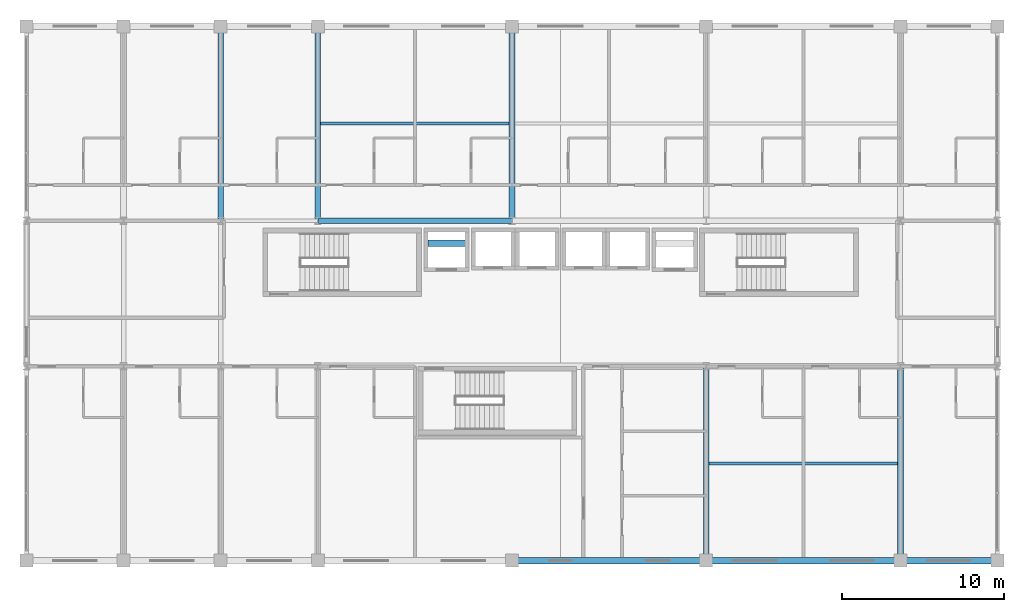
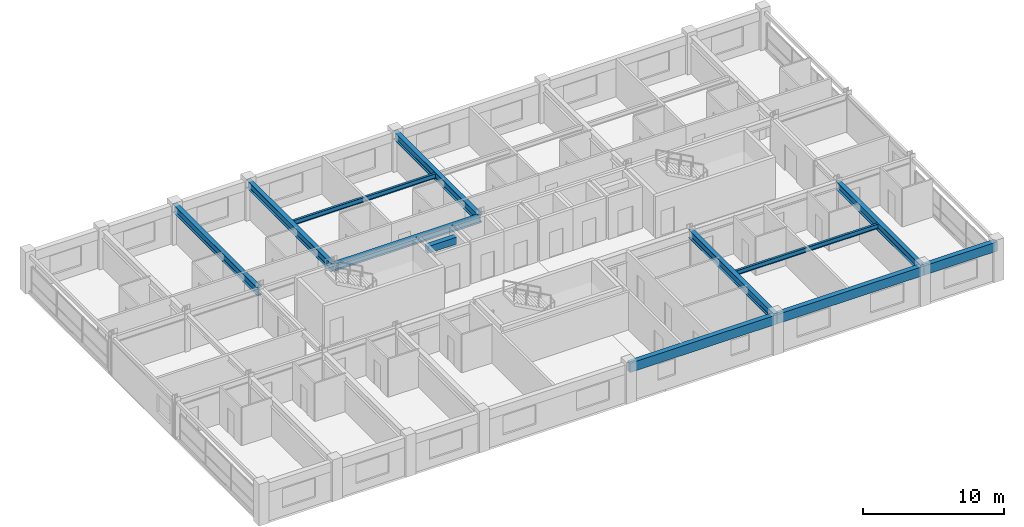
# One storey, part 9 of 26: 12 beams.
"""IFC4 building model written with IfcOpenShell, lengths in metres."""

from ifc_helpers import new_model, si_unit, direction, frame, origin, origin_2d, place, context, subcontext, project, spatial, rectangle, i_section, extrude, material, material_profile, profile_set, type_object, element, save


model = new_model("IFC4")

# Units and contexts
model_context = context("Model", 3, precision=1e-05, world=origin(), true_north=direction((0.0, 1.0)))
body_context = subcontext(model_context, "Body", "Model", "MODEL_VIEW")
ifc_project = project(units=[si_unit("LENGTHUNIT", "METRE"), si_unit("AREAUNIT", "SQUARE_METRE"), si_unit("VOLUMEUNIT", "CUBIC_METRE"), si_unit("PLANEANGLEUNIT", "RADIAN"), si_unit("MASSUNIT", "GRAM", prefix="KILO")], contexts=[model_context])

# Site, building, storey
site_placement = place(None, origin())
site = spatial("IfcSite", under=ifc_project, at=site_placement, CompositionType="ELEMENT")
building_placement = place(site_placement, origin())
building = spatial("IfcBuilding", under=site, at=building_placement, Name="Kaldorvane Square Convention Centre", CompositionType="ELEMENT")
storey_placement = place(building_placement, frame((0.0, 0.0, 45.600006103515625)))
storey = spatial("IfcBuildingStorey", under=building, at=storey_placement, Name="L10", CompositionType="ELEMENT", Elevation=45.600006103515625)

# Beams
ifc_material_1 = material(Name="Steel ASTM A992 Gr. 50", Category="steel")
ifc_material_profile_1 = material_profile(ifc_material_1, i_section(OverallWidth=0.326507568359375, OverallDepth=0.621795654296875, WebThickness=0.0153961181640625, FlangeThickness=0.0243988037109375, FilletRadius=0.0126953125, at=origin_2d()), Name="W24X131")
ifc_profile_set_1 = profile_set([ifc_material_profile_1], Name="Steel ASTM A992 Gr. 50")
beam_type_1 = type_object("IfcBeamType", Name="BM-GR-W24X131", PredefinedType="BEAM", material=ifc_profile_set_1)
beam_1_placement = place(storey_placement, frame((42.0, 105.0, 2.97509765625), z_axis=(1.0, 0.0, 0.0), x_axis=(0.0, 1.0, 0.0)))
element("IfcBeam", 1, at=beam_1_placement, inside=storey, type_object=beam_type_1, Name="Primary Girder (L10)", PredefinedType="BEAM", context=body_context, shape_type="SweptSolid", body=[
    extrude(i_section(OverallWidth=0.326507568359375, OverallDepth=0.621795654296875, WebThickness=0.0153961181640625, FlangeThickness=0.0243988037109375, FilletRadius=0.0126953125, at=origin_2d()), origin(), (0.0, 0.0, 1.0), 12.0),
])
ifc_material_profile_2 = material_profile(ifc_material_1, i_section(OverallWidth=0.354705810546875, OverallDepth=0.69549560546875, WebThickness=0.0153961181640625, FlangeThickness=0.0251007080078125, FilletRadius=0.01519775390625, at=origin_2d()), Name="W27X146")
ifc_profile_set_2 = profile_set([ifc_material_profile_2], Name="Steel ASTM A992 Gr. 50")
beam_type_2 = type_object("IfcBeamType", Name="BM-GR-W27X146", PredefinedType="BEAM", material=ifc_profile_set_2)
for number, where, z_axis, x_axis, name in (
    (2, (36.0, 105.0, 2.93829345703125), (0.0, 1.0, 0.0), (-1.0, 0.0, 0.0), "Transverse Girder (L10)"),
    (3, (42.0, 105.0, 2.93829345703125), (0.0, 1.0, 0.0), (-1.0, 0.0, 0.0), "Transverse Girder (L10)"),
    (4, (54.0, 105.0, 2.93829345703125), (0.0, 1.0, 0.0), (-1.0, 0.0, 0.0), "Transverse Girder (L10)"),
    (5, (66.0, 84.0, 2.93829345703125), (0.0, 1.0, 0.0), (-1.0, 0.0, 0.0), "Transverse Girder (L10)"),
    (6, (78.0, 84.0, 2.93829345703125), (0.0, 1.0, 0.0), (-1.0, 0.0, 0.0), "Transverse Girder (L10)"),
):
    element("IfcBeam", number, at=place(storey_placement, frame(where, z_axis=z_axis, x_axis=x_axis)), inside=storey, type_object=beam_type_2, Name=name, PredefinedType="BEAM", context=body_context, shape_type="SweptSolid", body=[
        extrude(i_section(OverallWidth=0.354705810546875, OverallDepth=0.69549560546875, WebThickness=0.0153961181640625, FlangeThickness=0.0251007080078125, FilletRadius=0.01519775390625, at=origin_2d()), origin(), (0.0, 0.0, 1.0), 12.0),
    ])
ifc_material_profile_3 = material_profile(ifc_material_1, i_section(OverallWidth=0.177398681640625, OverallDepth=0.403106689453125, WebThickness=0.00750732421875, FlangeThickness=0.010894775390625, FilletRadius=0.01019287109375, at=origin_2d()), Name="W16X36")
ifc_profile_set_3 = profile_set([ifc_material_profile_3], Name="Steel ASTM A992 Gr. 50")
beam_type_3 = type_object("IfcBeamType", Name="BM-JS-W16X36", PredefinedType="JOIST", material=ifc_profile_set_3)
beam_2_placement = place(storey_placement, frame((66.17739868164062, 90.0, 3.0844879150390625), z_axis=(1.0, 0.0, 0.0), x_axis=(0.0, 1.0, 0.0)))
element("IfcBeam", 7, at=beam_2_placement, inside=storey, type_object=beam_type_3, Name="Secondary Floor Joist (L10)", PredefinedType="JOIST", context=body_context, shape_type="SweptSolid", body=[
    extrude(i_section(OverallWidth=0.177398681640625, OverallDepth=0.403106689453125, WebThickness=0.00750732421875, FlangeThickness=0.010894775390625, FilletRadius=0.01019287109375, at=origin_2d()), origin(), (0.0, 0.0, 1.0), 11.64520263671875),
])
beam_3_placement = place(storey_placement, frame((42.17730712890625, 111.0, 3.0844879150390625), z_axis=(1.0, 0.0, 0.0), x_axis=(0.0, 1.0, 0.0)))
element("IfcBeam", 8, at=beam_3_placement, inside=storey, type_object=beam_type_3, Name="Secondary Floor Joist (L10)", PredefinedType="JOIST", context=body_context, shape_type="SweptSolid", body=[
    extrude(i_section(OverallWidth=0.177398681640625, OverallDepth=0.403106689453125, WebThickness=0.00750732421875, FlangeThickness=0.010894775390625, FilletRadius=0.01019287109375, at=origin_2d()), origin(), (0.0, 0.0, 1.0), 11.6453857421875),
])
ifc_material_2 = material(Name="Concrete f'c = 42 MPa (Normalweight)", Category="concrete")
ifc_material_profile_4 = material_profile(ifc_material_2, rectangle(XDim=0.399993896484375, YDim=0.600006103515625, at=origin_2d()), Name="RCLN600X400")
ifc_profile_set_4 = profile_set([ifc_material_profile_4], Name="Concrete f'c = 42 MPa (Normalweight)")
beam_type_4 = type_object("IfcBeamType", Name="BM-LN-RC600", PredefinedType="LINTEL", material=ifc_profile_set_4)
beam_4_placement = place(storey_placement, frame((48.80000305175781, 103.60000610351562, 2.9879913330078125), z_axis=(1.0, 0.0, 0.0), x_axis=(0.0, 1.0, 0.0)))
element("IfcBeam", 9, at=beam_4_placement, inside=storey, type_object=beam_type_4, Name="Core Coupling Lintel W (L10)", PredefinedType="LINTEL", context=body_context, shape_type="SweptSolid", body=[
    extrude(rectangle(XDim=0.399993896484375, YDim=0.600006103515625, at=origin_2d()), origin(), (0.0, 0.0, 1.0), 2.399993896484375),
])
ifc_material_profile_5 = material_profile(ifc_material_2, rectangle(XDim=0.399993896484375, YDim=0.8000030517578125, at=origin_2d()), Name="RCSP800X400")
ifc_profile_set_5 = profile_set([ifc_material_profile_5], Name="Concrete f'c = 42 MPa (Normalweight)")
beam_type_5 = type_object("IfcBeamType", Name="BM-SP-RC800", PredefinedType="SPANDREL", material=ifc_profile_set_5)
for number, where, z_axis, x_axis, name in (
    (10, (54.0, 84.0, 2.885986328125), (1.0, 0.0, 0.0), (0.0, 1.0, 0.0), "Perimeter Spandrel (L10)"),
    (11, (66.0, 84.0, 2.885986328125), (1.0, 0.0, 0.0), (0.0, 1.0, 0.0), "Perimeter Spandrel (L10)"),
):
    element("IfcBeam", number, at=place(storey_placement, frame(where, z_axis=z_axis, x_axis=x_axis)), inside=storey, type_object=beam_type_5, Name=name, PredefinedType="SPANDREL", context=body_context, shape_type="SweptSolid", body=[
        extrude(rectangle(XDim=0.399993896484375, YDim=0.8000030517578125, at=origin_2d()), origin(), (0.0, 0.0, 1.0), 12.0),
    ])
beam_5_placement = place(storey_placement, frame((78.0, 84.0, 2.885986328125), z_axis=(1.0, 0.0, 0.0), x_axis=(0.0, 1.0, 0.0)))
element("IfcBeam", 12, at=beam_5_placement, inside=storey, type_object=beam_type_5, Name="Perimeter Spandrel (L10)", PredefinedType="SPANDREL", context=body_context, shape_type="SweptSolid", body=[
    extrude(rectangle(XDim=0.399993896484375, YDim=0.8000030517578125, at=origin_2d()), origin(), (0.0, 0.0, 1.0), 6.0),
])

save(model, "model.ifc")
